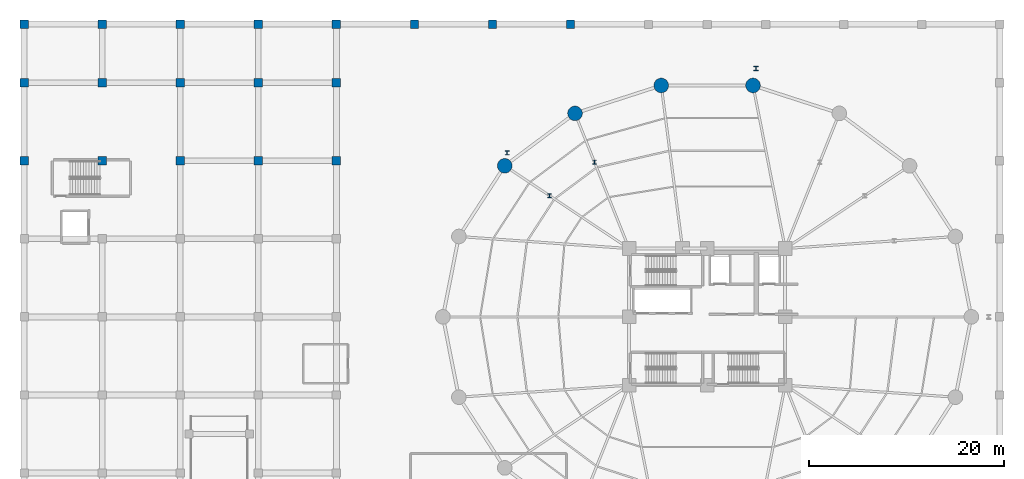
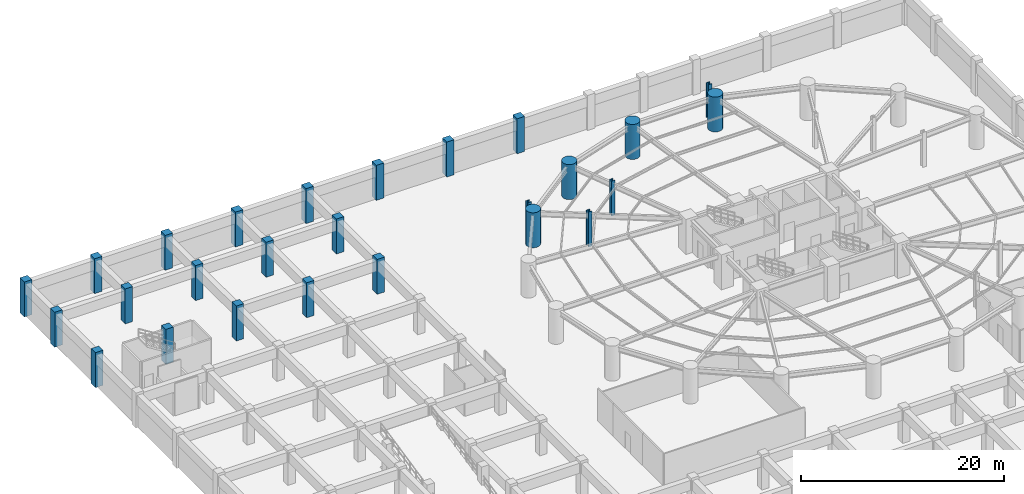
# One storey, part 3 of 20: 26 columns.
"""IFC4 building model written with IfcOpenShell, lengths in metres."""

from ifc_helpers import new_model, si_unit, direction, frame, origin, origin_2d, place, context, subcontext, project, spatial, rectangle, circle, i_section, extrude, material, material_profile, profile_set, type_object, element, save


model = new_model("IFC4")

# Units and contexts
model_context = context("Model", 3, precision=1e-05, world=origin(), true_north=direction((0.0, 1.0)))
body_context = subcontext(model_context, "Body", "Model", "MODEL_VIEW")
ifc_project = project(units=[si_unit("LENGTHUNIT", "METRE"), si_unit("AREAUNIT", "SQUARE_METRE"), si_unit("VOLUMEUNIT", "CUBIC_METRE"), si_unit("PLANEANGLEUNIT", "RADIAN"), si_unit("MASSUNIT", "GRAM", prefix="KILO")], contexts=[model_context])

# Site, building, storey
site_placement = place(None, origin())
site = spatial("IfcSite", under=ifc_project, at=site_placement, CompositionType="ELEMENT")
building_placement = place(site_placement, origin())
building = spatial("IfcBuilding", under=site, at=building_placement, Name="Kelanora Arch Commons", CompositionType="ELEMENT")
storey_placement = place(building_placement, frame((0.0, 0.0, -4.199951171875)))
storey = spatial("IfcBuildingStorey", under=building, at=storey_placement, Name="B01", CompositionType="ELEMENT", Elevation=-4.199951171875)

# Columns
ifc_material_1 = material(Name="Steel S355", Category="steel")
ifc_material_profile_1 = material_profile(ifc_material_1, i_section(OverallWidth=0.41796875, OverallDepth=0.455078125, WebThickness=0.0419921875, FlangeThickness=0.0673828125, FilletRadius=0.014892578125, at=origin_2d()), Name="HD400x551")
ifc_profile_set_1 = profile_set([ifc_material_profile_1], Name="Steel S355")
column_type_1 = type_object("IfcColumnType", Name="COL-ABUT", PredefinedType="COLUMN", material=ifc_profile_set_1)
column_placement = place(storey_placement, frame((79.009765625, 83.457275390625, 0.0), z_axis=(0.0, 0.0, 1.0), x_axis=(1.0, 0.0, 0.0)))
element("IfcColumn", 1, at=column_placement, inside=storey, type_object=column_type_1, Name="Giant Arch Abutment Thrust Column 2 B01", PredefinedType="COLUMN", context=body_context, shape_type="SweptSolid", body=[
    extrude(i_section(OverallWidth=0.41796875, OverallDepth=0.455078125, WebThickness=0.0419921875, FlangeThickness=0.0673828125, FilletRadius=0.014892578125, at=origin_2d()), origin(), (0.0, 0.0, 1.0), 4.199951171875),
])
ifc_material_2 = material(Name="Concrete C50/60", Category="concrete")
ifc_material_profile_2 = material_profile(ifc_material_2, rectangle(XDim=0.85009765625, YDim=0.85009765625, at=origin_2d()), Name="RC850x850")
ifc_profile_set_2 = profile_set([ifc_material_profile_2], Name="Concrete C50/60")
column_type_2 = type_object("IfcColumnType", Name="COL-BSMT", PredefinedType="COLUMN", material=ifc_profile_set_2)
for number, where, z_axis, x_axis, name in (
    (2, (4.0, 74.0, 0.0), (0.0, 0.0, 1.0), (1.0, 0.0, 0.0), "Basement Column 1-K B01"),
    (3, (4.0, 82.0, 0.0), (0.0, 0.0, 1.0), (1.0, 0.0, 0.0), "Basement Column 1-L B01"),
    (4, (4.0, 88.0, 0.0), (0.0, 0.0, 1.0), (1.0, 0.0, 0.0), "Basement Column 1-M B01"),
    (5, (12.0, 74.0, 0.0), (0.0, 0.0, 1.0), (1.0, 0.0, 0.0), "Basement Column 2-K B01"),
    (6, (12.0, 82.0, 0.0), (0.0, 0.0, 1.0), (1.0, 0.0, 0.0), "Basement Column 2-L B01"),
    (7, (12.0, 88.0, 0.0), (0.0, 0.0, 1.0), (1.0, 0.0, 0.0), "Basement Column 2-M B01"),
    (8, (20.0, 74.0, 0.0), (0.0, 0.0, 1.0), (1.0, 0.0, 0.0), "Basement Column 3-K B01"),
    (9, (20.0, 82.0, 0.0), (0.0, 0.0, 1.0), (1.0, 0.0, 0.0), "Basement Column 3-L B01"),
    (10, (20.0, 88.0, 0.0), (0.0, 0.0, 1.0), (1.0, 0.0, 0.0), "Basement Column 3-M B01"),
    (11, (28.0, 74.0, 0.0), (0.0, 0.0, 1.0), (1.0, 0.0, 0.0), "Basement Column 4-K B01"),
    (12, (28.0, 82.0, 0.0), (0.0, 0.0, 1.0), (1.0, 0.0, 0.0), "Basement Column 4-L B01"),
    (13, (28.0, 88.0, 0.0), (0.0, 0.0, 1.0), (1.0, 0.0, 0.0), "Basement Column 4-M B01"),
    (14, (36.0, 74.0, 0.0), (0.0, 0.0, 1.0), (1.0, 0.0, 0.0), "Basement Column 5-K B01"),
    (15, (36.0, 82.0, 0.0), (0.0, 0.0, 1.0), (1.0, 0.0, 0.0), "Basement Column 5-L B01"),
    (16, (36.0, 88.0, 0.0), (0.0, 0.0, 1.0), (1.0, 0.0, 0.0), "Basement Column 5-M B01"),
    (17, (44.0, 88.0, 0.0), (0.0, 0.0, 1.0), (1.0, 0.0, 0.0), "Basement Column 6-M B01"),
    (18, (52.0, 88.0, 0.0), (0.0, 0.0, 1.0), (1.0, 0.0, 0.0), "Basement Column 7-M B01"),
    (19, (60.0, 88.0, 0.0), (0.0, 0.0, 1.0), (1.0, 0.0, 0.0), "Basement Column 8-M B01"),
):
    element("IfcColumn", number, at=place(storey_placement, frame(where, z_axis=z_axis, x_axis=x_axis)), inside=storey, type_object=column_type_2, Name=name, PredefinedType="COLUMN", context=body_context, shape_type="SweptSolid", body=[
        extrude(rectangle(XDim=0.85009765625, YDim=0.85009765625, at=origin_2d()), origin(), (0.0, 0.0, 1.0), 4.199951171875),
    ])
ifc_material_3 = material(Name="Concrete C60/75", Category="concrete")
ifc_material_profile_3 = material_profile(ifc_material_3, circle(Radius=0.75, at=origin_2d()), Name="RCC1500")
ifc_profile_set_3 = profile_set([ifc_material_profile_3], Name="Concrete C60/75")
column_type_3 = type_object("IfcColumnType", Name="COL-PERIM-Z1", PredefinedType="COLUMN", material=ifc_profile_set_3)
for number, where, z_axis, x_axis, name in (
    (20, (78.702392578125, 81.714111328125, 0.0), (0.0, 0.0, 1.0), (1.0, 0.0, 0.0), "Perimeter Ring Column CP-08 B01"),
    (21, (69.297607421875, 81.714111328125, 0.0), (0.0, 0.0, 1.0), (1.0, 0.0, 0.0), "Perimeter Ring Column CP-10 B01"),
    (22, (60.4599609375, 78.85400390625, 0.0), (0.0, 0.0, 1.0), (1.0, 0.0, 0.0), "Perimeter Ring Column CP-12 B01"),
    (23, (53.255615234375, 73.478271484375, 0.0), (0.0, 0.0, 1.0), (1.0, 0.0, 0.0), "Perimeter Ring Column CP-14 B01"),
):
    element("IfcColumn", number, at=place(storey_placement, frame(where, z_axis=z_axis, x_axis=x_axis)), inside=storey, type_object=column_type_3, Name=name, PredefinedType="COLUMN", context=body_context, shape_type="SweptSolid", body=[
        extrude(circle(Radius=0.75, at=origin_2d()), origin(), (0.0, 0.0, 1.0), 4.199951171875),
    ])
ifc_material_profile_4 = material_profile(ifc_material_1, i_section(OverallWidth=0.406005859375, OverallDepth=0.416015625, WebThickness=0.029052734375, FlangeThickness=0.048095703125, FilletRadius=0.014892578125, at=origin_2d()), Name="HD400x382")
ifc_profile_set_4 = profile_set([ifc_material_profile_4], Name="Steel S355")
column_type_4 = type_object("IfcColumnType", Name="COL-PORCH", PredefinedType="COLUMN", material=ifc_profile_set_4)
for number, where, z_axis, x_axis, name in (
    (24, (62.454345703125, 73.866455078125, 0.0), (0.0, 0.0, 1.0), (1.0, 0.0, 0.0), "Recessed Courtyard Column CCC-12 B01"),
    (25, (57.843505859375, 70.426025390625, 0.0), (0.0, 0.0, 1.0), (1.0, 0.0, 0.0), "Recessed Courtyard Column CCC-14 B01"),
    (26, (53.5, 74.800048828125, 0.0), (0.0, 0.0, 1.0), (1.0, 0.0, 0.0), "Courtyard Pergola Column NW B01"),
):
    element("IfcColumn", number, at=place(storey_placement, frame(where, z_axis=z_axis, x_axis=x_axis)), inside=storey, type_object=column_type_4, Name=name, PredefinedType="COLUMN", context=body_context, shape_type="SweptSolid", body=[
        extrude(i_section(OverallWidth=0.406005859375, OverallDepth=0.416015625, WebThickness=0.029052734375, FlangeThickness=0.048095703125, FilletRadius=0.014892578125, at=origin_2d()), origin(), (0.0, 0.0, 1.0), 4.199951171875),
    ])

save(model, "model.ifc")
